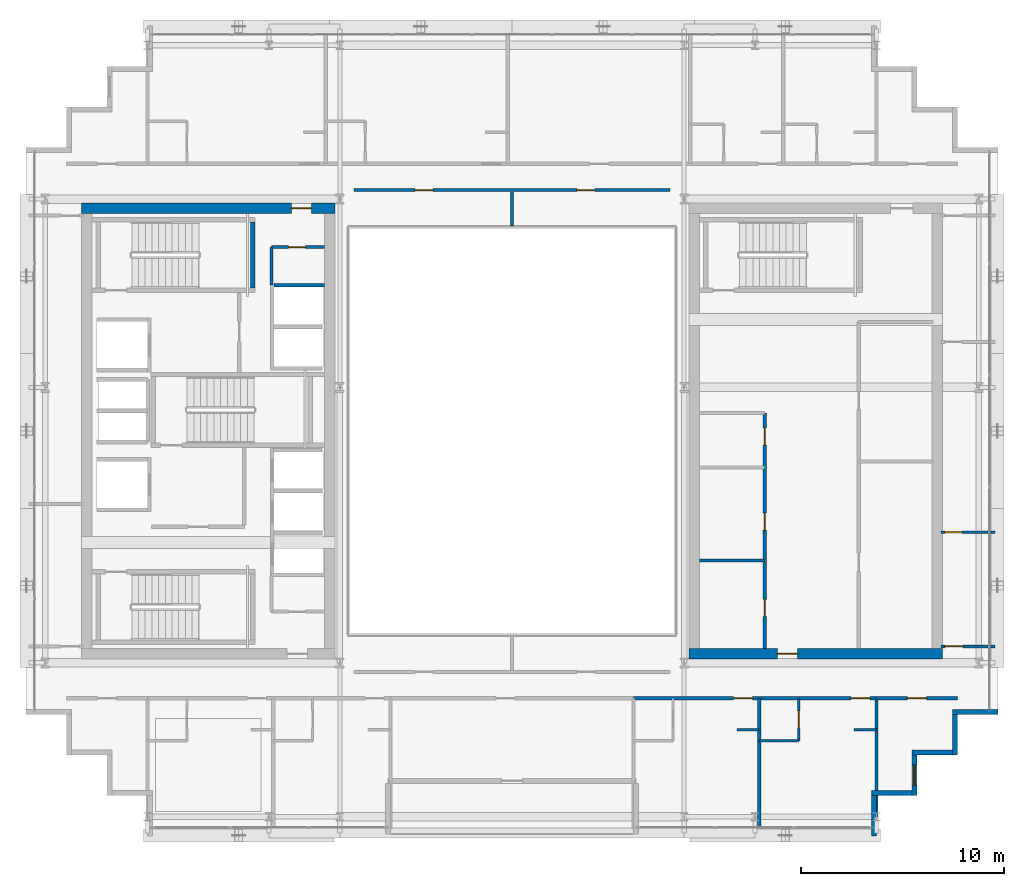
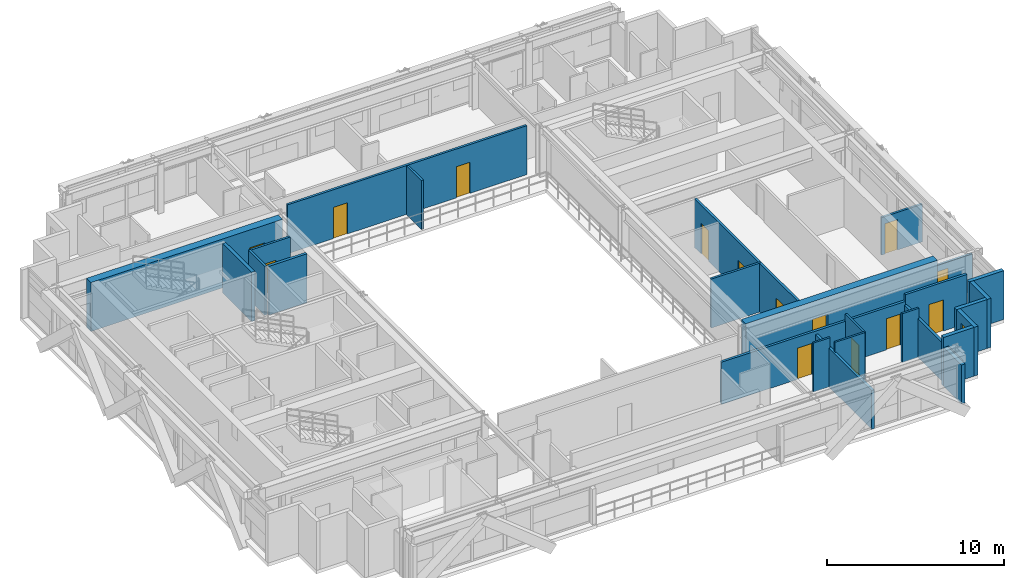
# One storey, part 25 of 31: 26 walls, 14 doors, 1 window, 15 openings.
"""IFC4 building model written with IfcOpenShell, lengths in metres."""

from ifc_helpers import new_model, si_unit, direction, frame, frame_2d, origin, place, context, subcontext, project, spatial, rectangle, extrude, source, transform, mapped, material, layer, layer_set, type_object, element, fill, save


model = new_model("IFC4")

# Units and contexts
model_context = context("Model", 3, precision=1e-05, world=origin(), true_north=direction((0.0, 1.0)))
body_context = subcontext(model_context, "Body", "Model", "MODEL_VIEW")
ifc_project = project(units=[si_unit("LENGTHUNIT", "METRE"), si_unit("AREAUNIT", "SQUARE_METRE"), si_unit("VOLUMEUNIT", "CUBIC_METRE"), si_unit("PLANEANGLEUNIT", "RADIAN"), si_unit("MASSUNIT", "GRAM", prefix="KILO")], contexts=[model_context])

# Site, building, storey
site_placement = place(None, origin())
site = spatial("IfcSite", under=ifc_project, at=site_placement, CompositionType="ELEMENT")
building_placement = place(site_placement, origin())
building = spatial("IfcBuilding", under=site, at=building_placement, Name="Ocotamira Hotel", CompositionType="ELEMENT")
storey_placement = place(building_placement, frame((0.0, 0.0, 174.0)))
storey = spatial("IfcBuildingStorey", under=building, at=storey_placement, Name="L43", CompositionType="ELEMENT", Elevation=174.0)

# Wall, opening, door
ifc_material_1 = material(Name="Concrete C50/60", Category="concrete")
ifc_layer_1 = layer(ifc_material_1, 0.5)
ifc_layer_set_1 = layer_set([ifc_layer_1], Name="Concrete C50/60")
wall_type_1 = type_object("IfcWallType", Name="WL-CORE-500", PredefinedType="SHEAR", material=ifc_layer_set_1)
wall_1_placement = place(storey_placement, frame((10.75, 37.0, 0.0), z_axis=(0.0, 0.0, 1.0), x_axis=(1.0, 0.0, 0.0)))
wall_1 = element("IfcWall", 1, at=wall_1_placement, inside=storey, type_object=wall_type_1, Name="L43 Shear Core Wall WCORE-N", PredefinedType="SHEAR", context=body_context, shape_type="SweptSolid", body=[
    extrude(rectangle(XDim=12.5, YDim=0.5, at=frame_2d((6.25, 0.0))), origin(), (0.0, 0.0, 1.0), 3.3701171875),
])
opening_1_placement = place(wall_1_placement, frame((10.35009765625, 0.0, 0.0)))
opening_1 = element("IfcOpeningElement", 2, at=opening_1_placement, cuts=wall_1, Name="Opening D-FR2", PredefinedType="OPENING", context=body_context, shape_type="SweptSolid", body=[
    extrude(rectangle(XDim=1.0, YDim=2.14990234375, at=frame_2d((0.5, 1.074951171875))), frame((0.0, 0.260009765625, 0.0), z_axis=(0.0, -1.0, 0.0), x_axis=(1.0, 0.0, 0.0)), (0.0, 0.0, 1.0), 0.52001953125),
])
ifc_material_2 = material(Name="Fire-rated acoustic timber-veneer door", Category="wood")
door_type_1 = type_object("IfcDoorType", Name="DR-FIRE-1000", OperationType="NOTDEFINED", PredefinedType="DOOR", material=ifc_material_2)
shared_shape_1 = source(origin(), body_context, "Body", "SweptSolid", [
    extrude(rectangle(XDim=1.0, YDim=2.14990234375, at=frame_2d((0.5, 1.074951171875))), frame((0.0, 0.02490234375, 0.0), z_axis=(0.0, -1.0, 0.0), x_axis=(1.0, 0.0, 0.0)), (0.0, 0.0, 1.0), 0.050048828125),
])
door_1_placement = place(opening_1_placement, origin())
door_1 = element("IfcDoor", 3, at=door_1_placement, inside=storey, type_object=door_type_1, Name="L43 Door ID-L43-WLOB-N-D [ID-L43-WLOB-N-D]", OperationType="SINGLE_SWING_RIGHT", OverallHeight=2.14990234375, OverallWidth=1.0, PredefinedType="DOOR", context=body_context, shape_type="MappedRepresentation", body=[
    mapped(shared_shape_1, transform((0.0, 0.0, 0.0), scale=1.0)),
])
fill(opening_1, door_1)

wall_2_placement = place(storey_placement, frame((40.75, 15.0, 0.0), z_axis=(0.0, 0.0, 1.0), x_axis=(1.0, 0.0, 0.0)))
wall_2 = element("IfcWall", 4, at=wall_2_placement, inside=storey, type_object=wall_type_1, Name="L43 Shear Core Wall ECORE-S", PredefinedType="SHEAR", context=body_context, shape_type="SweptSolid", body=[
    extrude(rectangle(XDim=12.5, YDim=0.5, at=frame_2d((6.25, 0.0))), origin(), (0.0, 0.0, 1.0), 3.3701171875),
])
opening_2_placement = place(wall_2_placement, frame((4.35009765625, 0.0, 0.0)))
opening_2 = element("IfcOpeningElement", 5, at=opening_2_placement, cuts=wall_2, Name="Opening D-FR2", PredefinedType="OPENING", context=body_context, shape_type="SweptSolid", body=[
    extrude(rectangle(XDim=1.0, YDim=2.14990234375, at=frame_2d((0.5, 1.074951171875))), frame((0.0, 0.260009765625, 0.0), z_axis=(0.0, -1.0, 0.0), x_axis=(1.0, 0.0, 0.0)), (0.0, 0.0, 1.0), 0.52001953125),
])
door_2_placement = place(opening_2_placement, origin())
door_2 = element("IfcDoor", 6, at=door_2_placement, inside=storey, type_object=door_type_1, Name="L43 Door ID-L43-ELOB-S-D [ID-L43-ELOB-S-D]", OperationType="SINGLE_SWING_RIGHT", OverallHeight=2.14990234375, OverallWidth=1.0, PredefinedType="DOOR", context=body_context, shape_type="MappedRepresentation", body=[
    mapped(shared_shape_1, transform((0.0, 0.0, 0.0), scale=1.0)),
])
fill(opening_2, door_2)

# Walls
ifc_material_3 = material(Name="Precast concrete C45/55", Category="concrete")
ifc_layer_2 = layer(ifc_material_3, 0.25)
ifc_layer_set_2 = layer_set([ifc_layer_2], Name="Precast concrete C45/55")
wall_type_2 = type_object("IfcWallType", Name="WL-EXT-SER-250", PredefinedType="SOLIDWALL", material=ifc_layer_set_2)
wall_3_placement = place(storey_placement, frame((49.875, 6.0, 0.0), z_axis=(0.0, 0.0, 1.0), x_axis=(0.0, 1.0, 0.0)))
element("IfcWall", 7, at=wall_3_placement, inside=storey, type_object=wall_type_2, Name="L43 Serrated Corner Wall 01", PredefinedType="SOLIDWALL", context=body_context, shape_type="SweptSolid", body=[
    extrude(rectangle(XDim=2.0, YDim=0.25, at=frame_2d((1.0, 0.0))), origin(), (0.0, 0.0, 1.0), 2.677001953125),
])
wall_4_placement = place(storey_placement, frame((49.75, 8.125, 0.0), z_axis=(0.0, 0.0, 1.0), x_axis=(1.0, 0.0, 0.0)))
element("IfcWall", 8, at=wall_4_placement, inside=storey, type_object=wall_type_2, Name="L43 Serrated Corner Wall 02", PredefinedType="SOLIDWALL", context=body_context, shape_type="SweptSolid", body=[
    extrude(rectangle(XDim=2.0, YDim=0.25, at=frame_2d((1.0, 0.0))), origin(), (0.0, 0.0, 1.0), 3.3701171875),
])

# Wall, opening, window
wall_5_placement = place(storey_placement, frame((51.875, 8.0, 0.0), z_axis=(0.0, 0.0, 1.0), x_axis=(0.0, 1.0, 0.0)))
wall_5 = element("IfcWall", 9, at=wall_5_placement, inside=storey, type_object=wall_type_2, Name="L43 Serrated Corner Wall 03", PredefinedType="SOLIDWALL", context=body_context, shape_type="SweptSolid", body=[
    extrude(rectangle(XDim=2.0, YDim=0.25, at=frame_2d((1.0, 0.0))), origin(), (0.0, 0.0, 1.0), 3.3701171875),
])
opening_3_placement = place(wall_5_placement, frame((0.5, 0.0, 0.85009765625)))
opening_3 = element("IfcOpeningElement", 10, at=opening_3_placement, cuts=wall_5, Name="Opening WN-2", PredefinedType="OPENING", context=body_context, shape_type="SweptSolid", body=[
    extrude(rectangle(XDim=1.0, YDim=1.89990234375, at=frame_2d((0.5, 0.949951171875))), frame((0.0, 0.135009765625, 0.0), z_axis=(0.0, -1.0, 0.0), x_axis=(1.0, 0.0, 0.0)), (0.0, 0.0, 1.0), 0.27001953125),
])
ifc_material_4 = material(Name="Double-silver low-E solar glass", Category="glass")
window_type = type_object("IfcWindowType", Name="WIN-SER-1100", PartitioningType="SINGLE_PANEL", PredefinedType="WINDOW", material=ifc_material_4)
shared_shape_2 = source(origin(), body_context, "Body", "SweptSolid", [
    extrude(rectangle(XDim=1.0, YDim=1.89990234375, at=frame_2d((0.5, 0.949951171875))), frame((0.0, 0.030029296875, 0.0), z_axis=(0.0, -1.0, 0.0), x_axis=(1.0, 0.0, 0.0)), (0.0, 0.0, 1.0), 0.06005859375),
])
window_placement = place(opening_3_placement, origin())
window = element("IfcWindow", 11, at=window_placement, inside=storey, type_object=window_type, Name="L43 Serrated Corner Window 03", OverallHeight=1.89990234375, OverallWidth=1.0, PartitioningType="SINGLE_PANEL", PredefinedType="WINDOW", context=body_context, shape_type="MappedRepresentation", body=[
    mapped(shared_shape_2, transform((0.0, 0.0, 0.0), scale=1.0)),
])
fill(opening_3, window)

# Walls
for number, where, z_axis, x_axis, name in (
    (12, (51.75, 10.125, 0.0), (0.0, 0.0, 1.0), (1.0, 0.0, 0.0), "L43 Serrated Corner Wall 04"),
    (13, (53.875, 10.0, 0.0), (0.0, 0.0, 1.0), (0.0, 1.0, 0.0), "L43 Serrated Corner Wall 05"),
):
    element("IfcWall", number, at=place(storey_placement, frame(where, z_axis=z_axis, x_axis=x_axis)), inside=storey, type_object=wall_type_2, Name=name, PredefinedType="SOLIDWALL", context=body_context, shape_type="SweptSolid", body=[
        extrude(rectangle(XDim=2.0, YDim=0.25, at=frame_2d((1.0, 0.0))), origin(), (0.0, 0.0, 1.0), 3.3701171875),
    ])
wall_6_placement = place(storey_placement, frame((53.75, 12.125, 0.0), z_axis=(0.0, 0.0, 1.0), x_axis=(1.0, 0.0, 0.0)))
element("IfcWall", 14, at=wall_6_placement, inside=storey, type_object=wall_type_2, Name="L43 Serrated Corner Wall 06", PredefinedType="SOLIDWALL", context=body_context, shape_type="SweptSolid", body=[
    extrude(rectangle(XDim=2.25, YDim=0.25, at=frame_2d((1.125, 0.0))), origin(), (0.0, 0.0, 1.0), 3.3701171875),
])

# Wall, opening, door
ifc_material_5 = material(Name="Acoustic double-layer fire gypsum board partition", Category="gypsum")
ifc_layer_3 = layer(ifc_material_5, 0.159912109375)
ifc_layer_set_3 = layer_set([ifc_layer_3], Name="Acoustic double-layer fire gypsum board partition")
wall_type_3 = type_object("IfcWallType", Name="WL-FIRE-160", PredefinedType="PARTITIONING", material=ifc_layer_set_3)
wall_7_placement = place(storey_placement, frame((50.0, 12.800048828125, 0.0), z_axis=(0.0, 0.0, 1.0), x_axis=(1.0, 0.0, 0.0)))
wall_7 = element("IfcWall", 15, at=wall_7_placement, inside=storey, type_object=wall_type_3, Name="L43 Interior Wall PW-L43-Z3B-CSE-CW", PredefinedType="PARTITIONING", context=body_context, shape_type="SweptSolid", body=[
    extrude(rectangle(XDim=4.0, YDim=0.159912109375, at=frame_2d((2.0, 0.0))), origin(), (0.0, 0.0, 1.0), 3.3701171875),
])
opening_4_placement = place(wall_7_placement, frame((1.52001953125, 0.0, 0.0)))
opening_4 = element("IfcOpeningElement", 16, at=opening_4_placement, cuts=wall_7, Name="Opening D-SV4", PredefinedType="OPENING", context=body_context, shape_type="SweptSolid", body=[
    extrude(rectangle(XDim=0.9599609375, YDim=2.14990234375, at=frame_2d((0.47998046875, 1.074951171875))), frame((0.0, 0.08984375, 0.0), z_axis=(0.0, -1.0, 0.0), x_axis=(1.0, 0.0, 0.0)), (0.0, 0.0, 1.0), 0.179931640625),
])
ifc_material_6 = material(Name="Fire-rated accessible walnut salon door", Category="wood")
door_type_2 = type_object("IfcDoorType", Name="DR-SERV-960", OperationType="NOTDEFINED", PredefinedType="DOOR", material=ifc_material_6)
shared_shape_3 = source(origin(), body_context, "Body", "SweptSolid", [
    extrude(rectangle(XDim=0.9599609375, YDim=2.14990234375, at=frame_2d((0.47998046875, 1.074951171875))), frame((0.0, 0.02490234375, 0.0), z_axis=(0.0, -1.0, 0.0), x_axis=(1.0, 0.0, 0.0)), (0.0, 0.0, 1.0), 0.050048828125),
])
door_3_placement = place(opening_4_placement, origin())
door_3 = element("IfcDoor", 17, at=door_3_placement, inside=storey, type_object=door_type_2, Name="L43 Door ID-L43-Z3B-CSE-CD [ID-L43-Z3B-CSE-CD]", OperationType="SINGLE_SWING_LEFT", OverallHeight=2.14990234375, OverallWidth=0.9599609375, PredefinedType="DOOR", context=body_context, shape_type="MappedRepresentation", body=[
    mapped(shared_shape_3, transform((0.0, 0.0, 0.0), scale=1.0)),
])
fill(opening_4, door_3)

# Wall, openings, doors
wall_8_placement = place(storey_placement, frame((38.0, 12.800048828125, 0.0), z_axis=(0.0, 0.0, 1.0), x_axis=(1.0, 0.0, 0.0)))
wall_8 = element("IfcWall", 18, at=wall_8_placement, inside=storey, type_object=wall_type_3, Name="L43 Interior Wall PW-L43-Z3BSE-CORRW", PredefinedType="PARTITIONING", context=body_context, shape_type="SweptSolid", body=[
    extrude(rectangle(XDim=12.0, YDim=0.159912109375, at=frame_2d((6.0, 0.0))), origin(), (0.0, 0.0, 1.0), 2.9130859375),
])
opening_5_placement = place(wall_8_placement, frame((4.93994140625, 0.0, 0.0)))
opening_5 = element("IfcOpeningElement", 19, at=opening_5_placement, cuts=wall_8, Name="Opening D-GR1", PredefinedType="OPENING", context=body_context, shape_type="SweptSolid", body=[
    extrude(rectangle(XDim=0.93994140625, YDim=2.14990234375, at=frame_2d((0.469970703125, 1.074951171875))), frame((0.0, 0.08984375, 0.0), z_axis=(0.0, -1.0, 0.0), x_axis=(1.0, 0.0, 0.0)), (0.0, 0.0, 1.0), 0.179931640625),
])
opening_6_placement = place(wall_8_placement, frame((10.739990234375, 0.0, 0.0)))
opening_6 = element("IfcOpeningElement", 20, at=opening_6_placement, cuts=wall_8, Name="Opening D-GR1", PredefinedType="OPENING", context=body_context, shape_type="SweptSolid", body=[
    extrude(rectangle(XDim=0.93994140625, YDim=2.14990234375, at=frame_2d((0.469970703125, 1.074951171875))), frame((0.0, 0.08984375, 0.0), z_axis=(0.0, -1.0, 0.0), x_axis=(1.0, 0.0, 0.0)), (0.0, 0.0, 1.0), 0.179931640625),
])
ifc_material_7 = material(Name="Solid-core walnut suite entrance fire door", Category="wood")
door_type_3 = type_object("IfcDoorType", Name="DR-GUEST-940", OperationType="NOTDEFINED", PredefinedType="DOOR", material=ifc_material_7)
shared_shape_4 = source(origin(), body_context, "Body", "SweptSolid", [
    extrude(rectangle(XDim=0.93994140625, YDim=2.14990234375, at=frame_2d((0.469970703125, 1.074951171875))), frame((0.0, 0.02490234375, 0.0), z_axis=(0.0, -1.0, 0.0), x_axis=(1.0, 0.0, 0.0)), (0.0, 0.0, 1.0), 0.050048828125),
])
door_4_placement = place(opening_5_placement, origin())
door_4 = element("IfcDoor", 21, at=door_4_placement, inside=storey, type_object=door_type_3, Name="L43 Door ID-L43-Z3BSE-RMD1 [ID-L43-Z3BSE-RMD1]", OperationType="SINGLE_SWING_LEFT", OverallHeight=2.14990234375, OverallWidth=0.93994140625, PredefinedType="DOOR", context=body_context, shape_type="MappedRepresentation", body=[
    mapped(shared_shape_4, transform((0.0, 0.0, 0.0), scale=1.0)),
])
fill(opening_5, door_4)
door_5_placement = place(opening_6_placement, origin())
door_5 = element("IfcDoor", 22, at=door_5_placement, inside=storey, type_object=door_type_3, Name="L43 Door ID-L43-Z3BSE-RMD2 [ID-L43-Z3BSE-RMD2]", OperationType="SINGLE_SWING_RIGHT", OverallHeight=2.14990234375, OverallWidth=0.93994140625, PredefinedType="DOOR", context=body_context, shape_type="MappedRepresentation", body=[
    mapped(shared_shape_4, transform((0.0, 0.0, 0.0), scale=1.0)),
])
fill(opening_6, door_5)

# Wall
ifc_material_8 = material(Name="Moisture-resistant en-suite tile and gypsum partition", Category="gypsum")
ifc_layer_4 = layer(ifc_material_8, 0.1201171875)
ifc_layer_set_4 = layer_set([ifc_layer_4], Name="Moisture-resistant en-suite tile and gypsum partition")
wall_type_4 = type_object("IfcWallType", Name="WL-PART-120", PredefinedType="PARTITIONING", material=ifc_layer_set_4)
wall_9_placement = place(storey_placement, frame((43.10009765625, 11.25, 0.0), z_axis=(0.0, 0.0, 1.0), x_axis=(1.0, 0.0, 0.0)))
element("IfcWall", 23, at=wall_9_placement, inside=storey, type_object=wall_type_4, Name="L43 Interior Wall PW-L43-Z3BSE-DRN1", PredefinedType="PARTITIONING", context=body_context, shape_type="SweptSolid", body=[
    extrude(rectangle(XDim=1.099853515625, YDim=0.1201171875, at=frame_2d((0.5498046875, 0.0))), origin(), (0.0, 0.0, 1.0), 3.3701171875),
])

# Wall, opening, door
wall_10_placement = place(storey_placement, frame((46.14990234375, 10.699951171875, 0.0), z_axis=(0.0, 0.0, 1.0), x_axis=(0.0, 1.0, 0.0)))
wall_10 = element("IfcWall", 24, at=wall_10_placement, inside=storey, type_object=wall_type_4, Name="L43 Interior Wall PW-L43-Z3BSE-BAE2", PredefinedType="PARTITIONING", context=body_context, shape_type="SweptSolid", body=[
    extrude(rectangle(XDim=2.10009765625, YDim=0.1201171875, at=frame_2d((1.050048828125, 0.0))), origin(), (0.0, 0.0, 1.0), 3.3701171875),
])
opening_7_placement = place(wall_10_placement, frame((0.6201171875, 0.0, 0.0)))
opening_7 = element("IfcOpeningElement", 25, at=opening_7_placement, cuts=wall_10, Name="Opening D-BA1", PredefinedType="OPENING", context=body_context, shape_type="SweptSolid", body=[
    extrude(rectangle(XDim=0.860107421875, YDim=2.10009765625, at=frame_2d((0.43017578125, 1.050048828125))), frame((0.0, 0.070068359375, 0.0), z_axis=(0.0, -1.0, 0.0), x_axis=(1.0, 0.0, 0.0)), (0.0, 0.0, 1.0), 0.14013671875),
])
ifc_material_9 = material(Name="Moisture-sealed en-suite timber door", Category="wood")
door_type_4 = type_object("IfcDoorType", Name="DR-BATH-860", OperationType="NOTDEFINED", PredefinedType="DOOR", material=ifc_material_9)
shared_shape_5 = source(origin(), body_context, "Body", "SweptSolid", [
    extrude(rectangle(XDim=0.860107421875, YDim=2.10009765625, at=frame_2d((0.43017578125, 1.050048828125))), frame((0.0, 0.02490234375, 0.0), z_axis=(0.0, -1.0, 0.0), x_axis=(1.0, 0.0, 0.0)), (0.0, 0.0, 1.0), 0.050048828125),
])
door_6_placement = place(opening_7_placement, origin())
door_6 = element("IfcDoor", 26, at=door_6_placement, inside=storey, type_object=door_type_4, Name="L43 Door ID-L43-Z3BSE-BAD2 [ID-L43-Z3BSE-BAD2]", OperationType="SINGLE_SWING_LEFT", OverallHeight=2.10009765625, OverallWidth=0.860107421875, PredefinedType="DOOR", context=body_context, shape_type="MappedRepresentation", body=[
    mapped(shared_shape_5, transform((0.0, 0.0, 0.0), scale=1.0)),
])
fill(opening_7, door_6)

# Walls
wall_11_placement = place(storey_placement, frame((44.199951171875, 10.699951171875, 0.0), z_axis=(0.0, 0.0, 1.0), x_axis=(1.0, 0.0, 0.0)))
element("IfcWall", 27, at=wall_11_placement, inside=storey, type_object=wall_type_4, Name="L43 Interior Wall PW-L43-Z3BSE-BAS2", PredefinedType="PARTITIONING", context=body_context, shape_type="SweptSolid", body=[
    extrude(rectangle(XDim=1.949951171875, YDim=0.1201171875, at=frame_2d((0.97509765625, 0.0))), origin(), (0.0, 0.0, 1.0), 3.3701171875),
])
wall_12_placement = place(storey_placement, frame((48.89990234375, 11.25, 0.0), z_axis=(0.0, 0.0, 1.0), x_axis=(1.0, 0.0, 0.0)))
element("IfcWall", 28, at=wall_12_placement, inside=storey, type_object=wall_type_4, Name="L43 Interior Wall PW-L43-Z3BSE-DRN2", PredefinedType="PARTITIONING", context=body_context, shape_type="SweptSolid", body=[
    extrude(rectangle(XDim=1.10009765625, YDim=0.1201171875, at=frame_2d((0.550048828125, 0.0))), origin(), (0.0, 0.0, 1.0), 3.3701171875),
])
ifc_material_10 = material(Name="Acoustic hospitality gypsum board partition", Category="gypsum")
ifc_layer_5 = layer(ifc_material_10, 0.14208984375)
ifc_layer_set_5 = layer_set([ifc_layer_5], Name="Acoustic hospitality gypsum board partition")
wall_type_5 = type_object("IfcWallType", Name="WL-PART-142", PredefinedType="PARTITIONING", material=ifc_layer_set_5)
wall_13_placement = place(storey_placement, frame((20.1201171875, 33.219970703125, 0.0), z_axis=(0.0, 0.0, 1.0), x_axis=(0.0, 1.0, 0.0)))
element("IfcWall", 29, at=wall_13_placement, inside=storey, type_object=wall_type_5, Name="L43 Interior Wall PW-L43-WC-NE-W2", PredefinedType="PARTITIONING", context=body_context, shape_type="SweptSolid", body=[
    extrude(rectangle(XDim=1.860107421875, YDim=0.14208984375, at=frame_2d((0.93017578125, 0.0))), origin(), (0.0, 0.0, 1.0), 3.3701171875),
])

# Wall, opening, door
wall_14_placement = place(storey_placement, frame((20.1201171875, 35.080078125, 0.0), z_axis=(0.0, 0.0, 1.0), x_axis=(1.0, 0.0, 0.0)))
wall_14 = element("IfcWall", 30, at=wall_14_placement, inside=storey, type_object=wall_type_5, Name="L43 Interior Wall PW-L43-WC-NE-N2", PredefinedType="PARTITIONING", context=body_context, shape_type="SweptSolid", body=[
    extrude(rectangle(XDim=2.6298828125, YDim=0.14208984375, at=frame_2d((1.31494140625, 0.0))), origin(), (0.0, 0.0, 1.0), 3.3701171875),
])
opening_8_placement = place(wall_14_placement, frame((0.85009765625, 0.0, 0.0)))
opening_8 = element("IfcOpeningElement", 31, at=opening_8_placement, cuts=wall_14, Name="Opening D-SV1", PredefinedType="OPENING", context=body_context, shape_type="SweptSolid", body=[
    extrude(rectangle(XDim=0.840087890625, YDim=2.10009765625, at=frame_2d((0.419921875, 1.050048828125))), frame((0.0, 0.0810546875, 0.0), z_axis=(0.0, -1.0, 0.0), x_axis=(1.0, 0.0, 0.0)), (0.0, 0.0, 1.0), 0.162109375),
])
ifc_material_11 = material(Name="Fire-rated painted steel service door", Category="steel")
door_type_5 = type_object("IfcDoorType", Name="DR-SERV-840", OperationType="NOTDEFINED", PredefinedType="DOOR", material=ifc_material_11)
shared_shape_6 = source(origin(), body_context, "Body", "SweptSolid", [
    extrude(rectangle(XDim=0.840087890625, YDim=2.10009765625, at=frame_2d((0.419921875, 1.050048828125))), frame((0.0, 0.02490234375, 0.0), z_axis=(0.0, -1.0, 0.0), x_axis=(1.0, 0.0, 0.0)), (0.0, 0.0, 1.0), 0.050048828125),
])
door_7_placement = place(opening_8_placement, origin())
door_7 = element("IfcDoor", 32, at=door_7_placement, inside=storey, type_object=door_type_5, Name="L43 Door ID-L43-WC-NE-D2 [ID-L43-WC-NE-D2]", OperationType="SINGLE_SWING_RIGHT", OverallHeight=2.10009765625, OverallWidth=0.840087890625, PredefinedType="DOOR", context=body_context, shape_type="MappedRepresentation", body=[
    mapped(shared_shape_6, transform((0.0, 0.0, 0.0), scale=1.0)),
])
fill(opening_8, door_7)

# Walls
wall_15_placement = place(storey_placement, frame((41.25, 19.60009765625, 0.0), z_axis=(0.0, 0.0, 1.0), x_axis=(1.0, 0.0, 0.0)))
element("IfcWall", 33, at=wall_15_placement, inside=storey, type_object=wall_type_5, Name="L43 Interior Wall PW-L43-EC-FMD1", PredefinedType="PARTITIONING", context=body_context, shape_type="SweptSolid", body=[
    extrude(rectangle(XDim=3.22998046875, YDim=0.14208984375, at=frame_2d((1.614990234375, 0.0))), origin(), (0.0, 0.0, 1.0), 3.3701171875),
])
wall_16_placement = place(storey_placement, frame((32.0, 36.1201171875, 0.0), z_axis=(0.0, 0.0, 1.0), x_axis=(0.0, 1.0, 0.0)))
element("IfcWall", 34, at=wall_16_placement, inside=storey, type_object=wall_type_5, Name="L43 Interior Wall PW-L43-Z3B-AND1", PredefinedType="PARTITIONING", context=body_context, shape_type="SweptSolid", body=[
    extrude(rectangle(XDim=1.679931640625, YDim=0.14208984375, at=frame_2d((0.83984375, 0.0))), origin(), (0.0, 0.0, 1.0), 3.3701171875),
])

# Wall, opening, door
wall_17_placement = place(storey_placement, frame((53.179931640625, 21.0, 0.0), z_axis=(0.0, 0.0, 1.0), x_axis=(1.0, 0.0, 0.0)))
wall_17 = element("IfcWall", 35, at=wall_17_placement, inside=storey, type_object=wall_type_5, Name="L43 Interior Wall PW-L43-Z3B-EF-DV1", PredefinedType="PARTITIONING", context=body_context, shape_type="SweptSolid", body=[
    extrude(rectangle(XDim=2.66015625, YDim=0.14208984375, at=frame_2d((1.330078125, 0.0))), origin(), (0.0, 0.0, 1.0), 2.591064453125),
])
opening_9_placement = place(wall_17_placement, frame((0.199951171875, 0.0, 0.0)))
opening_9 = element("IfcOpeningElement", 36, at=opening_9_placement, cuts=wall_17, Name="Opening D-SV1", PredefinedType="OPENING", context=body_context, shape_type="SweptSolid", body=[
    extrude(rectangle(XDim=0.840087890625, YDim=2.10009765625, at=frame_2d((0.419921875, 1.050048828125))), frame((0.0, 0.0810546875, 0.0), z_axis=(0.0, -1.0, 0.0), x_axis=(1.0, 0.0, 0.0)), (0.0, 0.0, 1.0), 0.162109375),
])
door_8_placement = place(opening_9_placement, origin())
door_8 = element("IfcDoor", 37, at=door_8_placement, inside=storey, type_object=door_type_5, Name="L43 Door ID-L43-Z3B-EF-DV1D [ID-L43-Z3B-EF-DV1D]", OperationType="SINGLE_SWING_LEFT", OverallHeight=2.10009765625, OverallWidth=0.840087890625, PredefinedType="DOOR", context=body_context, shape_type="MappedRepresentation", body=[
    mapped(shared_shape_6, transform((0.0, 0.0, 0.0), scale=1.0)),
])
fill(opening_9, door_8)

# Wall, openings, doors
ifc_layer_6 = layer(ifc_material_10, 0.14990234375)
ifc_layer_set_6 = layer_set([ifc_layer_6], Name="Acoustic hospitality gypsum board partition")
wall_type_6 = type_object("IfcWallType", Name="WL-PART-150", PredefinedType="PARTITIONING", material=ifc_layer_set_6)
wall_18_placement = place(storey_placement, frame((44.47998046875, 15.25, 0.0), z_axis=(0.0, 0.0, 1.0), x_axis=(0.0, 1.0, 0.0)))
wall_18 = element("IfcWall", 38, at=wall_18_placement, inside=storey, type_object=wall_type_6, Name="L43 Interior Wall PW-L43-EC-FMID-E", PredefinedType="PARTITIONING", context=body_context, shape_type="SweptSolid", body=[
    extrude(rectangle(XDim=11.6298828125, YDim=0.14990234375, at=frame_2d((5.81494140625, 0.0))), origin(), (0.0, 0.0, 1.0), 3.3701171875),
])
opening_10_placement = place(wall_18_placement, frame((1.60009765625, 0.0, 0.0)))
opening_10 = element("IfcOpeningElement", 39, at=opening_10_placement, cuts=wall_18, Name="Opening D-SV1", PredefinedType="OPENING", context=body_context, shape_type="SweptSolid", body=[
    extrude(rectangle(XDim=0.840087890625, YDim=2.10009765625, at=frame_2d((0.419921875, 1.050048828125))), frame((0.0, 0.0849609375, 0.0), z_axis=(0.0, -1.0, 0.0), x_axis=(1.0, 0.0, 0.0)), (0.0, 0.0, 1.0), 0.169921875),
])
opening_11_placement = place(wall_18_placement, frame((5.85009765625, 0.0, 0.0)))
opening_11 = element("IfcOpeningElement", 40, at=opening_11_placement, cuts=wall_18, Name="Opening D-SV1", PredefinedType="OPENING", context=body_context, shape_type="SweptSolid", body=[
    extrude(rectangle(XDim=0.840087890625, YDim=2.10009765625, at=frame_2d((0.419921875, 1.050048828125))), frame((0.0, 0.0849609375, 0.0), z_axis=(0.0, -1.0, 0.0), x_axis=(1.0, 0.0, 0.0)), (0.0, 0.0, 1.0), 0.169921875),
])
opening_12_placement = place(wall_18_placement, frame((10.050048828125, 0.0, 0.0)))
opening_12 = element("IfcOpeningElement", 41, at=opening_12_placement, cuts=wall_18, Name="Opening D-SV1", PredefinedType="OPENING", context=body_context, shape_type="SweptSolid", body=[
    extrude(rectangle(XDim=0.840087890625, YDim=2.10009765625, at=frame_2d((0.419921875, 1.050048828125))), frame((0.0, 0.0849609375, 0.0), z_axis=(0.0, -1.0, 0.0), x_axis=(1.0, 0.0, 0.0)), (0.0, 0.0, 1.0), 0.169921875),
])
door_9_placement = place(opening_10_placement, origin())
door_9 = element("IfcDoor", 42, at=door_9_placement, inside=storey, type_object=door_type_5, Name="L43 Door ID-L43-EC-FMD-1 [ID-L43-EC-FMD-1]", OperationType="SINGLE_SWING_LEFT", OverallHeight=2.10009765625, OverallWidth=0.840087890625, PredefinedType="DOOR", context=body_context, shape_type="MappedRepresentation", body=[
    mapped(shared_shape_6, transform((0.0, 0.0, 0.0), scale=1.0)),
])
fill(opening_10, door_9)
door_10_placement = place(opening_11_placement, origin())
door_10 = element("IfcDoor", 43, at=door_10_placement, inside=storey, type_object=door_type_5, Name="L43 Door ID-L43-EC-FMD-2 [ID-L43-EC-FMD-2]", OperationType="SINGLE_SWING_RIGHT", OverallHeight=2.10009765625, OverallWidth=0.840087890625, PredefinedType="DOOR", context=body_context, shape_type="MappedRepresentation", body=[
    mapped(shared_shape_6, transform((0.0, 0.0, 0.0), scale=1.0)),
])
fill(opening_11, door_10)
door_11_placement = place(opening_12_placement, origin())
door_11 = element("IfcDoor", 44, at=door_11_placement, inside=storey, type_object=door_type_5, Name="L43 Door ID-L43-EC-FMD-3 [ID-L43-EC-FMD-3]", OperationType="SINGLE_SWING_LEFT", OverallHeight=2.10009765625, OverallWidth=0.840087890625, PredefinedType="DOOR", context=body_context, shape_type="MappedRepresentation", body=[
    mapped(shared_shape_6, transform((0.0, 0.0, 0.0), scale=1.0)),
])
fill(opening_12, door_11)

wall_19_placement = place(storey_placement, frame((24.199951171875, 37.89990234375, 0.0), z_axis=(0.0, 0.0, 1.0), x_axis=(1.0, 0.0, 0.0)))
wall_19 = element("IfcWall", 45, at=wall_19_placement, inside=storey, type_object=wall_type_6, Name="L43 Interior Wall PW-L43-Z3B-ATRNW", PredefinedType="PARTITIONING", context=body_context, shape_type="SweptSolid", body=[
    extrude(rectangle(XDim=15.60009765625, YDim=0.14990234375, at=frame_2d((7.800048828125, 0.0))), origin(), (0.0, 0.0, 1.0), 3.3701171875),
])
opening_13_placement = place(wall_19_placement, frame((3.0, 0.0, 0.0)))
opening_13 = element("IfcOpeningElement", 46, at=opening_13_placement, cuts=wall_19, Name="Opening D-IN3", PredefinedType="OPENING", context=body_context, shape_type="SweptSolid", body=[
    extrude(rectangle(XDim=0.89990234375, YDim=2.14990234375, at=frame_2d((0.449951171875, 1.074951171875))), frame((0.0, 0.0849609375, 0.0), z_axis=(0.0, -1.0, 0.0), x_axis=(1.0, 0.0, 0.0)), (0.0, 0.0, 1.0), 0.169921875),
])
opening_14_placement = place(wall_19_placement, frame((11.0, 0.0, 0.0)))
opening_14 = element("IfcOpeningElement", 47, at=opening_14_placement, cuts=wall_19, Name="Opening D-IN3", PredefinedType="OPENING", context=body_context, shape_type="SweptSolid", body=[
    extrude(rectangle(XDim=0.89990234375, YDim=2.14990234375, at=frame_2d((0.449951171875, 1.074951171875))), frame((0.0, 0.0849609375, 0.0), z_axis=(0.0, -1.0, 0.0), x_axis=(1.0, 0.0, 0.0)), (0.0, 0.0, 1.0), 0.169921875),
])
ifc_material_12 = material(Name="Painted service room door", Category="steel")
door_type_6 = type_object("IfcDoorType", Name="DR-INT-900", OperationType="NOTDEFINED", PredefinedType="DOOR", material=ifc_material_12)
shared_shape_7 = source(origin(), body_context, "Body", "SweptSolid", [
    extrude(rectangle(XDim=0.89990234375, YDim=2.14990234375, at=frame_2d((0.449951171875, 1.074951171875))), frame((0.0, 0.02490234375, 0.0), z_axis=(0.0, -1.0, 0.0), x_axis=(1.0, 0.0, 0.0)), (0.0, 0.0, 1.0), 0.050048828125),
])
door_12_placement = place(opening_13_placement, origin())
door_12 = element("IfcDoor", 48, at=door_12_placement, inside=storey, type_object=door_type_6, Name="L43 Door ID-L43-Z3B-AND1D [ID-L43-Z3B-AND1D]", OperationType="SINGLE_SWING_RIGHT", OverallHeight=2.14990234375, OverallWidth=0.89990234375, PredefinedType="DOOR", context=body_context, shape_type="MappedRepresentation", body=[
    mapped(shared_shape_7, transform((0.0, 0.0, 0.0), scale=1.0)),
])
fill(opening_13, door_12)
door_13_placement = place(opening_14_placement, origin())
door_13 = element("IfcDoor", 49, at=door_13_placement, inside=storey, type_object=door_type_6, Name="L43 Door ID-L43-Z3B-AND2D [ID-L43-Z3B-AND2D]", OperationType="SINGLE_SWING_LEFT", OverallHeight=2.14990234375, OverallWidth=0.89990234375, PredefinedType="DOOR", context=body_context, shape_type="MappedRepresentation", body=[
    mapped(shared_shape_7, transform((0.0, 0.0, 0.0), scale=1.0)),
])
fill(opening_14, door_13)

# Wall, opening, door
wall_20_placement = place(storey_placement, frame((53.179931640625, 15.360107421875, 0.0), z_axis=(0.0, 0.0, 1.0), x_axis=(1.0, 0.0, 0.0)))
wall_20 = element("IfcWall", 50, at=wall_20_placement, inside=storey, type_object=wall_type_6, Name="L43 Interior Wall PW-L43-Z3B-EF-WS", PredefinedType="PARTITIONING", context=body_context, shape_type="SweptSolid", body=[
    extrude(rectangle(XDim=2.66015625, YDim=0.14990234375, at=frame_2d((1.330078125, 0.0))), origin(), (0.0, 0.0, 1.0), 2.591064453125),
])
opening_15_placement = place(wall_20_placement, frame((0.199951171875, 0.0, 0.0)))
opening_15 = element("IfcOpeningElement", 51, at=opening_15_placement, cuts=wall_20, Name="Opening D-SV2", PredefinedType="OPENING", context=body_context, shape_type="SweptSolid", body=[
    extrude(rectangle(XDim=0.8798828125, YDim=2.14990234375, at=frame_2d((0.43994140625, 1.074951171875))), frame((0.0, 0.0849609375, 0.0), z_axis=(0.0, -1.0, 0.0), x_axis=(1.0, 0.0, 0.0)), (0.0, 0.0, 1.0), 0.169921875),
])
door_type_7 = type_object("IfcDoorType", Name="DR-SERV-880", OperationType="NOTDEFINED", PredefinedType="DOOR", material=ifc_material_11)
shared_shape_8 = source(origin(), body_context, "Body", "SweptSolid", [
    extrude(rectangle(XDim=0.8798828125, YDim=2.14990234375, at=frame_2d((0.43994140625, 1.074951171875))), frame((0.0, 0.02490234375, 0.0), z_axis=(0.0, -1.0, 0.0), x_axis=(1.0, 0.0, 0.0)), (0.0, 0.0, 1.0), 0.050048828125),
])
door_14_placement = place(opening_15_placement, origin())
door_14 = element("IfcDoor", 52, at=door_14_placement, inside=storey, type_object=door_type_7, Name="L43 Door ID-L43-Z3B-EF-DS [ID-L43-Z3B-EF-DS]", OperationType="SINGLE_SWING_RIGHT", OverallHeight=2.14990234375, OverallWidth=0.8798828125, PredefinedType="DOOR", context=body_context, shape_type="MappedRepresentation", body=[
    mapped(shared_shape_8, transform((0.0, 0.0, 0.0), scale=1.0)),
])
fill(opening_15, door_14)

# Walls
ifc_material_13 = material(Name="Acoustic double-stud hospitality gypsum partition", Category="gypsum")
ifc_layer_7 = layer(ifc_material_13, 0.159912109375)
ifc_layer_set_7 = layer_set([ifc_layer_7], Name="Acoustic double-stud hospitality gypsum partition")
wall_type_7 = type_object("IfcWallType", Name="WL-PART-160", PredefinedType="PARTITIONING", material=ifc_layer_set_7)
wall_21_placement = place(storey_placement, frame((50.0, 6.360107421875, 0.0), z_axis=(0.0, 0.0, 1.0), x_axis=(0.0, 1.0, 0.0)))
element("IfcWall", 53, at=wall_21_placement, inside=storey, type_object=wall_type_7, Name="L43 Interior Wall PW-L43-Z3BSE-PWEND", PredefinedType="PARTITIONING", context=body_context, shape_type="SweptSolid", body=[
    extrude(rectangle(XDim=6.43994140625, YDim=0.159912109375, at=frame_2d((3.219970703125, 0.0))), origin(), (0.0, 0.0, 1.0), 2.677001953125),
])
ifc_material_14 = material(Name="Double-stud suite party gypsum partition", Category="gypsum")
ifc_layer_8 = layer(ifc_material_14, 0.175048828125)
ifc_layer_set_8 = layer_set([ifc_layer_8], Name="Double-stud suite party gypsum partition")
wall_type_8 = type_object("IfcWallType", Name="WL-PART-175", PredefinedType="PARTITIONING", material=ifc_layer_set_8)
wall_22_placement = place(storey_placement, frame((44.199951171875, 6.360107421875, 0.0), z_axis=(0.0, 0.0, 1.0), x_axis=(0.0, 1.0, 0.0)))
element("IfcWall", 54, at=wall_22_placement, inside=storey, type_object=wall_type_8, Name="L43 Interior Wall PW-L43-Z3BSE-PW1", PredefinedType="PARTITIONING", context=body_context, shape_type="SweptSolid", body=[
    extrude(rectangle(XDim=6.43994140625, YDim=0.175048828125, at=frame_2d((3.219970703125, 0.0))), origin(), (0.0, 0.0, 1.0), 2.677001953125),
])
ifc_material_15 = material(Name="Fire-rated gypsum shaftliner board assembly", Category="gypsum")
ifc_layer_9 = layer(ifc_material_15, 0.179931640625)
ifc_layer_set_9 = layer_set([ifc_layer_9], Name="Fire-rated gypsum shaftliner board assembly")
wall_type_9 = type_object("IfcWallType", Name="WL-SHAFT-180", PredefinedType="SOLIDWALL", material=ifc_layer_set_9)
wall_23_placement = place(storey_placement, frame((20.25, 33.199951171875, 0.0), z_axis=(0.0, 0.0, 1.0), x_axis=(1.0, 0.0, 0.0)))
element("IfcWall", 55, at=wall_23_placement, inside=storey, type_object=wall_type_9, Name="L43 Interior Wall PW-L43-LFW-BANK-obs-N", PredefinedType="SOLIDWALL", context=body_context, shape_type="SweptSolid", body=[
    extrude(rectangle(XDim=2.5, YDim=0.179931640625, at=frame_2d((1.25, 0.0))), origin(), (0.0, 0.0, 1.0), 3.3701171875),
])
ifc_layer_10 = layer(ifc_material_1, 0.219970703125)
ifc_layer_set_10 = layer_set([ifc_layer_10], Name="Concrete C50/60")
wall_type_10 = type_object("IfcWallType", Name="WL-STAIR-220", PredefinedType="SHEAR", material=ifc_layer_set_10)
wall_24_placement = place(storey_placement, frame((19.199951171875, 33.050048828125, 0.0), z_axis=(0.0, 0.0, 1.0), x_axis=(0.0, 1.0, 0.0)))
element("IfcWall", 56, at=wall_24_placement, inside=storey, type_object=wall_type_10, Name="L43 Stair Shaft Structural Wall ST-2-E", PredefinedType="SHEAR", context=body_context, shape_type="SweptSolid", body=[
    extrude(rectangle(XDim=3.280029296875, YDim=0.219970703125, at=frame_2d((1.64013671875, 0.0))), origin(), (0.0, 0.0, 1.0), 3.39990234375),
])

save(model, "model.ifc")
